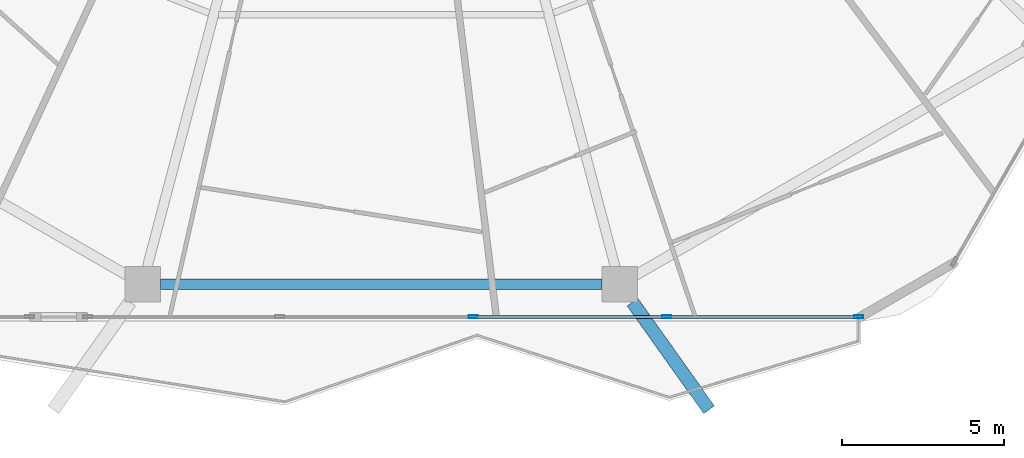
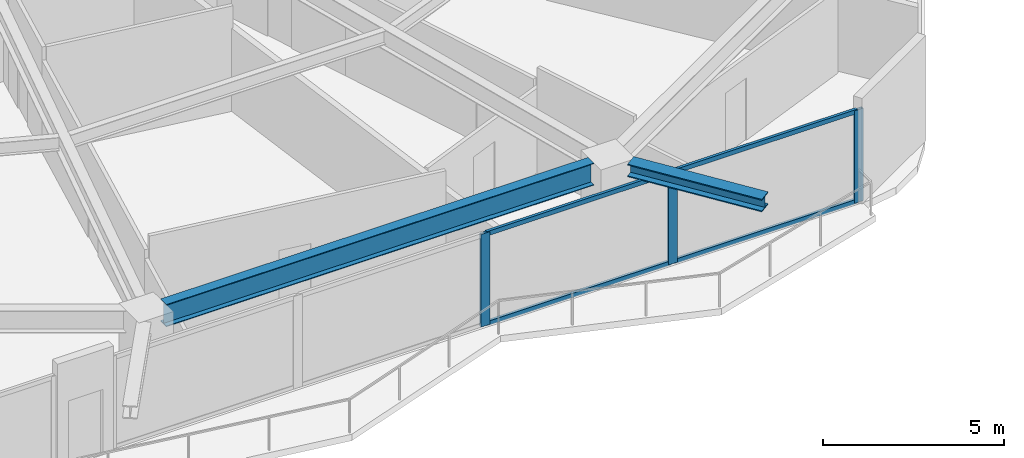
# One storey, part 7 of 33: 7 members, 2 beams, 1 element without a shape of its own.
"""IFC4 building model written with IfcOpenShell, lengths in metres."""

from ifc_helpers import new_model, si_unit, direction, frame, origin, origin_2d, place, context, subcontext, project, spatial, hollow_rectangle, i_section, extrude, material, material_profile, profile_set, type_object, element, aggregate, save


model = new_model("IFC4")

# Units and contexts
model_context = context("Model", 3, precision=1e-05, world=origin(), true_north=direction((0.0, 1.0)))
body_context = subcontext(model_context, "Body", "Model", "MODEL_VIEW")
ifc_project = project(units=[si_unit("LENGTHUNIT", "METRE"), si_unit("AREAUNIT", "SQUARE_METRE"), si_unit("VOLUMEUNIT", "CUBIC_METRE"), si_unit("PLANEANGLEUNIT", "RADIAN"), si_unit("MASSUNIT", "GRAM", prefix="KILO")], contexts=[model_context])

# Site, building, storey
site_placement = place(None, origin())
site = spatial("IfcSite", under=ifc_project, at=site_placement, CompositionType="ELEMENT")
building_placement = place(site_placement, origin())
building = spatial("IfcBuilding", under=site, at=building_placement, Name="Zuhravey Tower", CompositionType="ELEMENT")
storey_placement = place(building_placement, frame((0.0, 0.0, 103.800048828125)))
storey = spatial("IfcBuildingStorey", under=building, at=storey_placement, Name="L25", CompositionType="ELEMENT", Elevation=103.800048828125)

# Curtain wall, members
ifc_material_1 = material(Name="Thermally broken anodised aluminium", Category="aluminium")
curtain_wall_type = type_object("IfcCurtainWallType", Name="Zone 1-2 Residential Curtain Wall CW3", PredefinedType="NOTDEFINED", material=ifc_material_1)
curtain_wall_placement = place(storey_placement, origin())
curtain_wall = element("IfcCurtainWall", 1, at=curtain_wall_placement, inside=storey, type_object=curtain_wall_type, Name="L25 CW3 CW-L25-F5-1", PredefinedType="NOTDEFINED")
ifc_material_2 = material(Name="Anodised aluminium", Category="aluminium")
ifc_material_profile_1 = material_profile(ifc_material_2, hollow_rectangle(XDim=0.090087890625, YDim=0.284912109375, WallThickness=0.0048828125, at=origin_2d()), Name="ALU-RHS-90x285x5")
ifc_profile_set_1 = profile_set([ifc_material_profile_1], Name="Anodised aluminium")
member_type_1 = type_object("IfcMemberType", Name="Curtain-Wall Mullion 90x180", PredefinedType="MULLION", material=ifc_profile_set_1)
member_1_placement = place(storey_placement, frame((50.75439453125, 3.04150390625, 0.0), z_axis=(0.0, 0.0, 1.0), x_axis=(0.0, -1.0, 0.0)))
member_1 = element("IfcMember", 2, at=member_1_placement, type_object=member_type_1, Name="CW3 mullion 1", PredefinedType="MULLION", context=body_context, shape_type="SweptSolid", body=[
    extrude(hollow_rectangle(XDim=0.090087890625, YDim=0.284912109375, WallThickness=0.0048828125, at=origin_2d()), origin(), (0.0, 0.0, 1.0), 3.1220703125),
])
member_2_placement = place(storey_placement, frame((44.82080078125, 3.04150390625, 0.0), z_axis=(0.0, 0.0, 1.0), x_axis=(0.0, -1.0, 0.0)))
member_2 = element("IfcMember", 3, at=member_2_placement, type_object=member_type_1, Name="CW3 mullion 2", PredefinedType="MULLION", context=body_context, shape_type="SweptSolid", body=[
    extrude(hollow_rectangle(XDim=0.090087890625, YDim=0.284912109375, WallThickness=0.0048828125, at=origin_2d()), origin(), (0.0, 0.0, 1.0), 3.1220703125),
])
member_3_placement = place(storey_placement, frame((38.84228515625, 3.04150390625, 0.0), z_axis=(0.0, 0.0, 1.0), x_axis=(0.0, -1.0, 0.0)))
member_3 = element("IfcMember", 4, at=member_3_placement, type_object=member_type_1, Name="CW3 mullion 3", PredefinedType="MULLION", context=body_context, shape_type="SweptSolid", body=[
    extrude(hollow_rectangle(XDim=0.090087890625, YDim=0.284912109375, WallThickness=0.0048828125, at=origin_2d()), origin(), (0.0, 0.0, 1.0), 3.1220703125),
])
ifc_material_profile_2 = material_profile(ifc_material_2, hollow_rectangle(XDim=0.090087890625, YDim=0.14990234375, WallThickness=0.0048828125, at=origin_2d()), Name="ALU-RHS-90x150x5")
ifc_profile_set_2 = profile_set([ifc_material_profile_2], Name="Anodised aluminium")
member_type_2 = type_object("IfcMemberType", Name="Curtain-Wall Transom 90x150", PredefinedType="USERDEFINED", material=ifc_profile_set_2)
member_4_placement = place(storey_placement, frame((50.70947265625, 3.04150390625, 0.044921875), z_axis=(-1.0, 0.0, 0.0), x_axis=(0.0, -1.0, 0.0)))
member_4 = element("IfcMember", 5, at=member_4_placement, type_object=member_type_2, Name="CW3 transom 1.1", ObjectType="TRANSOM", PredefinedType="USERDEFINED", context=body_context, shape_type="SweptSolid", body=[
    extrude(hollow_rectangle(XDim=0.090087890625, YDim=0.14990234375, WallThickness=0.0048828125, at=origin_2d()), origin(), (0.0, 0.0, 1.0), 5.843505859375),
])
member_5_placement = place(storey_placement, frame((50.70947265625, 3.04150390625, 3.076904296875), z_axis=(-1.0, 0.0, 0.0), x_axis=(0.0, -1.0, 0.0)))
member_5 = element("IfcMember", 6, at=member_5_placement, type_object=member_type_2, Name="CW3 transom 1.2", ObjectType="TRANSOM", PredefinedType="USERDEFINED", context=body_context, shape_type="SweptSolid", body=[
    extrude(hollow_rectangle(XDim=0.090087890625, YDim=0.14990234375, WallThickness=0.0048828125, at=origin_2d()), origin(), (0.0, 0.0, 1.0), 5.843505859375),
])
member_6_placement = place(storey_placement, frame((44.77587890625, 3.04150390625, 0.044921875), z_axis=(-1.0, 0.0, 0.0), x_axis=(0.0, -1.0, 0.0)))
member_6 = element("IfcMember", 7, at=member_6_placement, type_object=member_type_2, Name="CW3 transom 2.1", ObjectType="TRANSOM", PredefinedType="USERDEFINED", context=body_context, shape_type="SweptSolid", body=[
    extrude(hollow_rectangle(XDim=0.090087890625, YDim=0.14990234375, WallThickness=0.0048828125, at=origin_2d()), origin(), (0.0, 0.0, 1.0), 5.888671875),
])
member_7_placement = place(storey_placement, frame((44.77587890625, 3.04150390625, 3.076904296875), z_axis=(-1.0, 0.0, 0.0), x_axis=(0.0, -1.0, 0.0)))
member_7 = element("IfcMember", 8, at=member_7_placement, type_object=member_type_2, Name="CW3 transom 2.2", ObjectType="TRANSOM", PredefinedType="USERDEFINED", context=body_context, shape_type="SweptSolid", body=[
    extrude(hollow_rectangle(XDim=0.090087890625, YDim=0.14990234375, WallThickness=0.0048828125, at=origin_2d()), origin(), (0.0, 0.0, 1.0), 5.888671875),
])
aggregate(curtain_wall, [member_1, member_2, member_3, member_4, member_5, member_6, member_7])

# Beams
ifc_material_3 = material(Name="Steel SM460", Category="steel")
ifc_material_profile_3 = material_profile(ifc_material_3, i_section(OverallWidth=0.406982421875, OverallDepth=0.427978515625, WebThickness=0.02001953125, FlangeThickness=0.034912109375, at=origin_2d()), Name="H-428x407x20x35")
ifc_profile_set_3 = profile_set([ifc_material_profile_3], Name="Steel SM460")
beam_type_1 = type_object("IfcBeamType", Name="Exoskeleton Node Tie Beam H428x407", PredefinedType="BEAM", material=ifc_profile_set_3)
beam_1_placement = place(storey_placement, frame((43.763427734375, 3.498291015625, 3.3359375), z_axis=(0.579635065749, -0.814876181118, 0.0), x_axis=(0.814876181118, 0.579635065749, 0.0)))
element("IfcBeam", 9, at=beam_1_placement, inside=storey, type_object=beam_type_1, Name="L25 Exoskeleton Node Tie NT1-10", PredefinedType="BEAM", context=body_context, shape_type="SweptSolid", body=[
    extrude(i_section(OverallWidth=0.406982421875, OverallDepth=0.427978515625, WebThickness=0.02001953125, FlangeThickness=0.034912109375, at=origin_2d()), origin(), (0.0, 0.0, 1.0), 4.079833984375),
])
ifc_material_4 = material(Name="Steel SM355", Category="steel")
ifc_material_profile_4 = material_profile(ifc_material_4, i_section(OverallWidth=0.320068359375, OverallDepth=0.75, WebThickness=0.013916015625, FlangeThickness=0.02490234375, at=origin_2d()), Name="H-750x320x14x25")
ifc_profile_set_4 = profile_set([ifc_material_profile_4], Name="Steel SM355")
beam_type_2 = type_object("IfcBeamType", Name="Perimeter Ring Beam H750x320", PredefinedType="BEAM", material=ifc_profile_set_4)
beam_2_placement = place(storey_placement, frame((29.18310546875, 4.051513671875, 3.175048828125), z_axis=(1.0, 0.0, 0.0), x_axis=(0.0, 1.0, 0.0)))
element("IfcBeam", 10, at=beam_2_placement, inside=storey, type_object=beam_type_2, Name="L25 PB1 BM-L25-PB-09", PredefinedType="BEAM", context=body_context, shape_type="SweptSolid", body=[
    extrude(i_section(OverallWidth=0.320068359375, OverallDepth=0.75, WebThickness=0.013916015625, FlangeThickness=0.02490234375, at=origin_2d()), origin(), (0.0, 0.0, 1.0), 13.6337890625),
])

save(model, "model.ifc")
